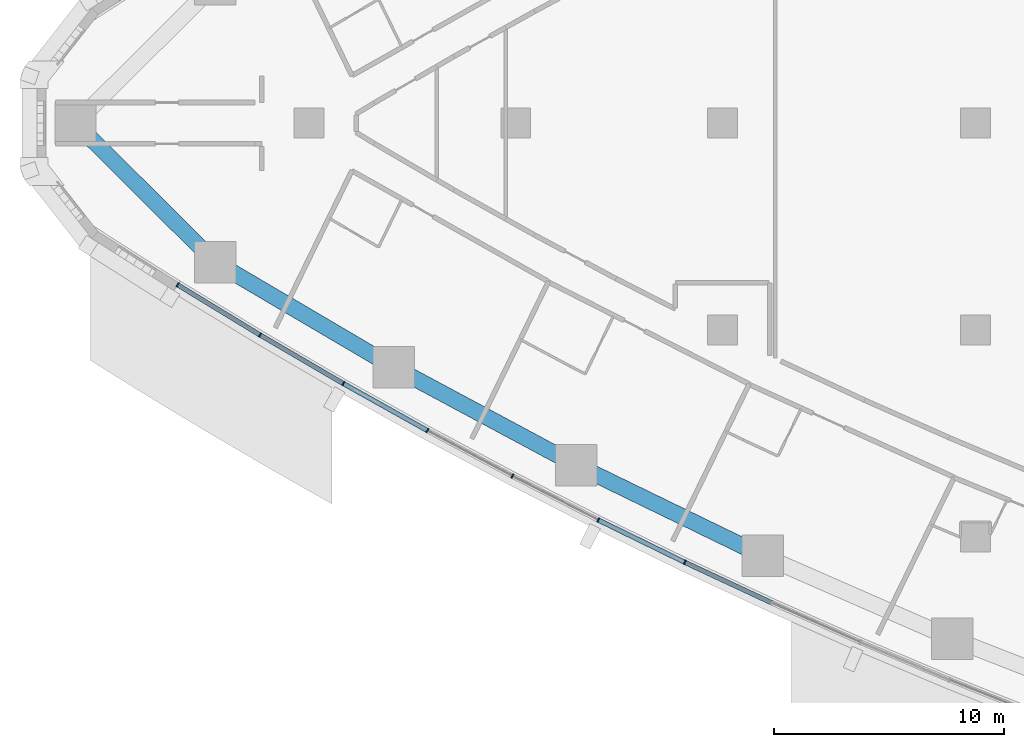
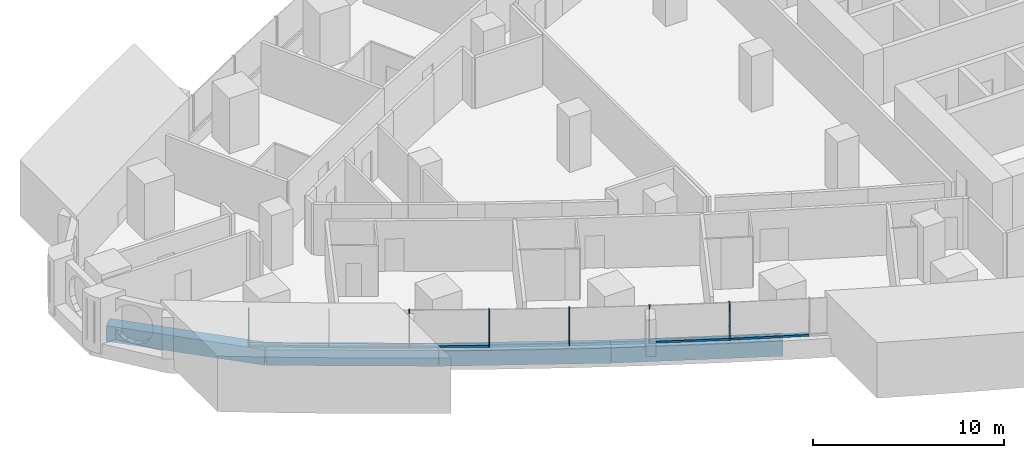
# One storey, part 2 of 18: 12 members, 4 beams, 3 elements without a shape of their own.
"""IFC4 building model written with IfcOpenShell, lengths in metres."""

from ifc_helpers import new_model, si_unit, direction, frame, origin, origin_2d, place, context, subcontext, project, spatial, rectangle, extrude, material, layer, layer_set, material_profile, profile_set, type_object, element, aggregate, save


model = new_model("IFC4")

# Units and contexts
model_context = context("Model", 3, precision=1e-05, world=origin(), true_north=direction((0.0, 1.0)))
body_context = subcontext(model_context, "Body", "Model", "MODEL_VIEW")
ifc_project = project(units=[si_unit("LENGTHUNIT", "METRE"), si_unit("AREAUNIT", "SQUARE_METRE"), si_unit("VOLUMEUNIT", "CUBIC_METRE"), si_unit("PLANEANGLEUNIT", "RADIAN"), si_unit("MASSUNIT", "GRAM", prefix="KILO")], contexts=[model_context])

# Site, building, storey
site_placement = place(None, origin())
site = spatial("IfcSite", under=ifc_project, at=site_placement, CompositionType="ELEMENT")
building_placement = place(site_placement, origin())
building = spatial("IfcBuilding", under=site, at=building_placement, Name="Ostrand Prow Hotel Tower", CompositionType="ELEMENT")
storey_placement = place(building_placement, frame((0.0, 0.0, 57.35009765625)))
storey = spatial("IfcBuildingStorey", under=building, at=storey_placement, Name="L12", CompositionType="ELEMENT", Elevation=57.35009765625)

# Beams
ifc_material_1 = material(Name="Concrete C80/95", Category="concrete")
ifc_material_profile_1 = material_profile(ifc_material_1, rectangle(XDim=0.699951171875, YDim=1.0, at=origin_2d()), Name="RC 700x1000")
ifc_profile_set_1 = profile_set([ifc_material_profile_1], Name="Concrete C80/95")
beam_type = type_object("IfcBeamType", Name="Edge beam 700x1000 C80/95", PredefinedType="SPANDREL", material=ifc_profile_set_1)
beam_1_placement = place(storey_placement, frame((5.848388671875, 0.0, -0.800048828125), z_axis=(0.709211674915, -0.70499560294, 0.0), x_axis=(0.70499560294, 0.709211674915, 0.0)))
element("IfcBeam", 1, at=beam_1_placement, inside=storey, type_object=beam_type, Name="Edge beam P-S1", PredefinedType="SPANDREL", context=body_context, shape_type="SweptSolid", body=[
    extrude(rectangle(XDim=0.699951171875, YDim=1.0, at=origin_2d()), origin(), (0.0, 0.0, 1.0), 8.5703125),
])
beam_2_placement = place(storey_placement, frame((11.926513671875, -6.0419921875, -0.800048828125), z_axis=(0.861725230108, -0.507375233722, 0.0), x_axis=(0.507375233722, 0.861725230108, 0.0)))
element("IfcBeam", 2, at=beam_2_placement, inside=storey, type_object=beam_type, Name="Edge beam S1-S2", PredefinedType="SPANDREL", context=body_context, shape_type="SweptSolid", body=[
    extrude(rectangle(XDim=0.699951171875, YDim=1.0, at=origin_2d()), origin(), (0.0, 0.0, 1.0), 9.012451171875),
])
beam_3_placement = place(storey_placement, frame((19.69287109375, -10.61474609375, -0.800048828125), z_axis=(0.881270074696, -0.472613008122, 0.0), x_axis=(0.472613008122, 0.881270074696, 0.0)))
element("IfcBeam", 3, at=beam_3_placement, inside=storey, type_object=beam_type, Name="Edge beam S2-S3", PredefinedType="SPANDREL", context=body_context, shape_type="SweptSolid", body=[
    extrude(rectangle(XDim=0.699951171875, YDim=1.0, at=origin_2d()), origin(), (0.0, 0.0, 1.0), 9.0126953125),
])
beam_4_placement = place(storey_placement, frame((27.635498046875, -14.874267578125, -0.800048828125), z_axis=(0.899382499202, -0.437162578601, 0.0), x_axis=(0.437162578601, 0.899382499202, 0.0)))
element("IfcBeam", 4, at=beam_4_placement, inside=storey, type_object=beam_type, Name="Edge beam S3-S4", PredefinedType="SPANDREL", context=body_context, shape_type="SweptSolid", body=[
    extrude(rectangle(XDim=0.699951171875, YDim=1.0, at=origin_2d()), origin(), (0.0, 0.0, 1.0), 9.012451171875),
])

# Curtain wall, members
ifc_material_2 = material(Name="Insulated glass in bronze anodised frame", Category="glass")
ifc_layer = layer(ifc_material_2, 0.199951171875)
ifc_layer_set = layer_set([ifc_layer], Name="Insulated glass in bronze anodised frame")
curtain_wall_type = type_object("IfcCurtainWallType", Name="Strip curtain wall, fritted glass over bronze spandrel", PredefinedType="NOTDEFINED", material=ifc_layer_set)
curtain_wall_1_placement = place(storey_placement, origin())
curtain_wall_1 = element("IfcCurtainWall", 5, at=curtain_wall_1_placement, inside=storey, type_object=curtain_wall_type, Name="CW1 run CWS1", PredefinedType="NOTDEFINED")
ifc_material_3 = material(Name="Bronze anodised aluminium", Category="aluminium")
ifc_material_profile_2 = material_profile(ifc_material_3, rectangle(XDim=0.199951171875, YDim=0.06005859375, at=origin_2d()), Name="Mullion 60x200 bronze anodised aluminium")
ifc_profile_set_2 = profile_set([ifc_material_profile_2], Name="Bronze anodised aluminium")
member_type_1 = type_object("IfcMemberType", Name="Mullion 60x200 bronze anodised aluminium", PredefinedType="MULLION", material=ifc_profile_set_2)
member_1_placement = place(storey_placement, frame((10.29443359375, -7.031494140625, 0.89990234375), z_axis=(0.0, 0.0, 1.0), x_axis=(0.519830761515, 0.854269266322, 0.0)))
member_1 = element("IfcMember", 6, at=member_1_placement, type_object=member_type_1, Name="CW1 mullion 1", PredefinedType="MULLION", context=body_context, shape_type="SweptSolid", body=[
    extrude(rectangle(XDim=0.199951171875, YDim=0.06005859375, at=origin_2d()), origin(), (0.0, 0.0, 1.0), 2.35009765625),
])
member_2_placement = place(storey_placement, frame((13.87744140625, -9.2119140625, 0.89990234375), z_axis=(0.0, 0.0, 1.0), x_axis=(0.50402272292, 0.863690392896, 0.0)))
member_2 = element("IfcMember", 7, at=member_2_placement, type_object=member_type_1, Name="CW1 mullion 2", PredefinedType="MULLION", context=body_context, shape_type="SweptSolid", body=[
    extrude(rectangle(XDim=0.199951171875, YDim=0.06005859375, at=origin_2d()), origin(), (0.0, 0.0, 1.0), 2.35009765625),
])
member_3_placement = place(storey_placement, frame((17.5, -11.325927734375, 0.89990234375), z_axis=(0.0, 0.0, 1.0), x_axis=(0.50402272292, 0.863690392896, 0.0)))
member_3 = element("IfcMember", 8, at=member_3_placement, type_object=member_type_1, Name="CW1 mullion 3", PredefinedType="MULLION", context=body_context, shape_type="SweptSolid", body=[
    extrude(rectangle(XDim=0.199951171875, YDim=0.06005859375, at=origin_2d()), origin(), (0.0, 0.0, 1.0), 2.35009765625),
])

curtain_wall_2_placement = place(storey_placement, origin())
curtain_wall_2 = element("IfcCurtainWall", 9, at=curtain_wall_2_placement, inside=storey, type_object=curtain_wall_type, Name="CW1 run CWS2", PredefinedType="NOTDEFINED")
member_4_placement = place(storey_placement, frame((21.160888671875, -13.372802734375, 0.89990234375), z_axis=(0.0, 0.0, 1.0), x_axis=(0.471899992481, 0.881652083929, 0.0)))
member_4 = element("IfcMember", 10, at=member_4_placement, type_object=member_type_1, Name="CW1 mullion 2", PredefinedType="MULLION", context=body_context, shape_type="SweptSolid", body=[
    extrude(rectangle(XDim=0.199951171875, YDim=0.06005859375, at=origin_2d()), origin(), (0.0, 0.0, 1.0), 2.35009765625),
])
member_5_placement = place(storey_placement, frame((24.858642578125, -15.35205078125, 0.89990234375), z_axis=(0.0, 0.0, 1.0), x_axis=(0.455596179055, 0.890186565631, 0.0)))
member_5 = element("IfcMember", 11, at=member_5_placement, type_object=member_type_1, Name="CW1 mullion 3", PredefinedType="MULLION", context=body_context, shape_type="SweptSolid", body=[
    extrude(rectangle(XDim=0.199951171875, YDim=0.06005859375, at=origin_2d()), origin(), (0.0, 0.0, 1.0), 2.35009765625),
])
member_6_placement = place(storey_placement, frame((28.59228515625, -17.262939453125, 0.89990234375), z_axis=(0.0, 0.0, 1.0), x_axis=(0.455596179055, 0.890186565631, 0.0)))
member_6 = element("IfcMember", 12, at=member_6_placement, type_object=member_type_1, Name="CW1 mullion 4", PredefinedType="MULLION", context=body_context, shape_type="SweptSolid", body=[
    extrude(rectangle(XDim=0.199951171875, YDim=0.06005859375, at=origin_2d()), origin(), (0.0, 0.0, 1.0), 2.35009765625),
])

# Curtain wall, member
curtain_wall_3_placement = place(storey_placement, origin())
curtain_wall_3 = element("IfcCurtainWall", 13, at=curtain_wall_3_placement, inside=storey, type_object=curtain_wall_type, Name="CW1 run CWS3", PredefinedType="NOTDEFINED")
member_7_placement = place(storey_placement, frame((32.360595703125, -19.10498046875, 0.89990234375), z_axis=(0.0, 0.0, 1.0), x_axis=(0.422529678615, 0.906349088757, 0.0)))
member_7 = element("IfcMember", 14, at=member_7_placement, type_object=member_type_1, Name="CW1 mullion 2", PredefinedType="MULLION", context=body_context, shape_type="SweptSolid", body=[
    extrude(rectangle(XDim=0.199951171875, YDim=0.06005859375, at=origin_2d()), origin(), (0.0, 0.0, 1.0), 2.35009765625),
])

# Member
ifc_material_4 = material(Name="Bronze anodised aluminium", Category="aluminium")
ifc_material_profile_3 = material_profile(ifc_material_4, rectangle(XDim=0.199951171875, YDim=0.1201171875, at=origin_2d()), Name="Transom 120x200 bronze anodised aluminium")
ifc_profile_set_3 = profile_set([ifc_material_profile_3], Name="Bronze anodised aluminium")
member_type_2 = type_object("IfcMemberType", Name="Transom 120x200 bronze anodised aluminium", PredefinedType="USERDEFINED", material=ifc_profile_set_3)
member_8_placement = place(storey_placement, frame((10.320068359375, -7.047119140625, 0.9599609375), z_axis=(0.8542612678, -0.519843905741, 0.0), x_axis=(0.519843905741, 0.8542612678, 0.0)))
member_8 = element("IfcMember", 15, at=member_8_placement, type_object=member_type_2, Name="CW1 transom 1.1", ObjectType="TRANSOM", PredefinedType="USERDEFINED", context=body_context, shape_type="SweptSolid", body=[
    extrude(rectangle(XDim=0.199951171875, YDim=0.1201171875, at=origin_2d()), origin(), (0.0, 0.0, 1.0), 4.13427734375),
])

member_9_placement = place(storey_placement, frame((13.9033203125, -9.22705078125, 0.9599609375), z_axis=(0.863697501622, -0.504010541251, 0.0), x_axis=(0.504010541251, 0.863697501622, 0.0)))
member_9 = element("IfcMember", 16, at=member_9_placement, type_object=member_type_2, Name="CW1 transom 2.1", ObjectType="TRANSOM", PredefinedType="USERDEFINED", context=body_context, shape_type="SweptSolid", body=[
    extrude(rectangle(XDim=0.199951171875, YDim=0.1201171875, at=origin_2d()), origin(), (0.0, 0.0, 1.0), 4.13427734375),
])

aggregate(curtain_wall_1, [member_1, member_2, member_3, member_8, member_9])

member_10_placement = place(storey_placement, frame((17.526123046875, -11.340576171875, 0.9599609375), z_axis=(0.872842137405, -0.488002667175, 0.0), x_axis=(0.488002667175, 0.872842137405, 0.0)))
member_10 = element("IfcMember", 17, at=member_10_placement, type_object=member_type_2, Name="CW1 transom 1.1", ObjectType="TRANSOM", PredefinedType="USERDEFINED", context=body_context, shape_type="SweptSolid", body=[
    extrude(rectangle(XDim=0.199951171875, YDim=0.1201171875, at=origin_2d()), origin(), (0.0, 0.0, 1.0), 4.13427734375),
])

aggregate(curtain_wall_2, [member_4, member_5, member_6, member_10])

member_11_placement = place(storey_placement, frame((28.619384765625, -17.276123046875, 0.9599609375), z_axis=(0.898395234758, -0.439187889364, 0.0), x_axis=(0.439187889364, 0.898395234758, 0.0)))
member_11 = element("IfcMember", 18, at=member_11_placement, type_object=member_type_2, Name="CW1 transom 1.1", ObjectType="TRANSOM", PredefinedType="USERDEFINED", context=body_context, shape_type="SweptSolid", body=[
    extrude(rectangle(XDim=0.199951171875, YDim=0.1201171875, at=origin_2d()), origin(), (0.0, 0.0, 1.0), 4.13427734375),
])

member_12_placement = place(storey_placement, frame((32.3876953125, -19.117431640625, 0.9599609375), z_axis=(0.906338458793, -0.422552479714, 0.0), x_axis=(0.422552479714, 0.906338458793, 0.0)))
member_12 = element("IfcMember", 19, at=member_12_placement, type_object=member_type_2, Name="CW1 transom 2.1", ObjectType="TRANSOM", PredefinedType="USERDEFINED", context=body_context, shape_type="SweptSolid", body=[
    extrude(rectangle(XDim=0.199951171875, YDim=0.1201171875, at=origin_2d()), origin(), (0.0, 0.0, 1.0), 4.134521484375),
])

aggregate(curtain_wall_3, [member_7, member_11, member_12])

save(model, "model.ifc")
